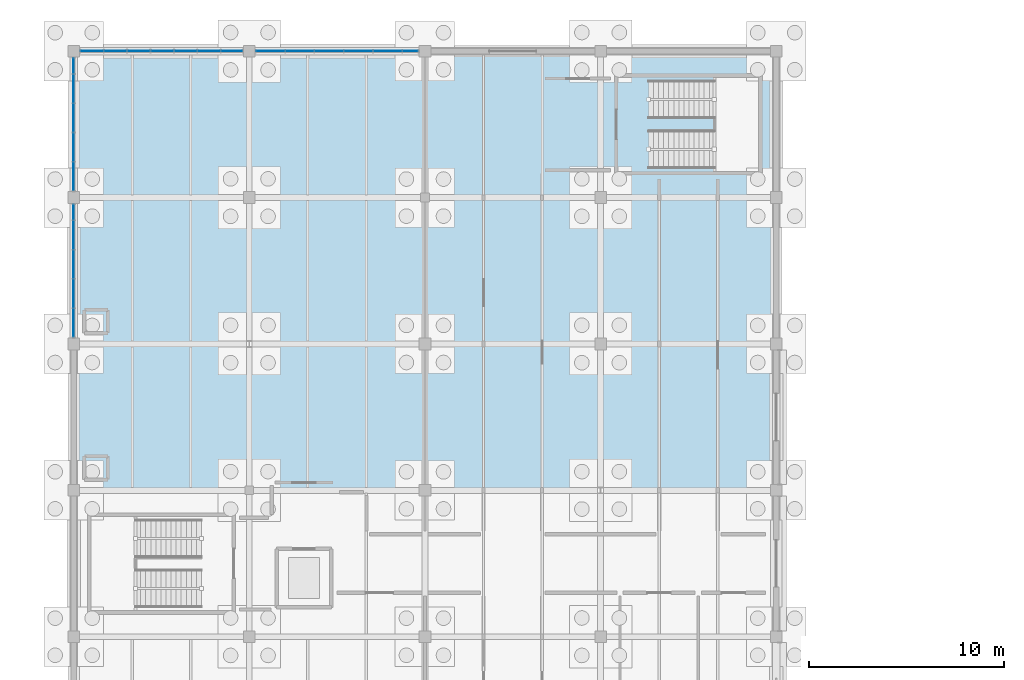
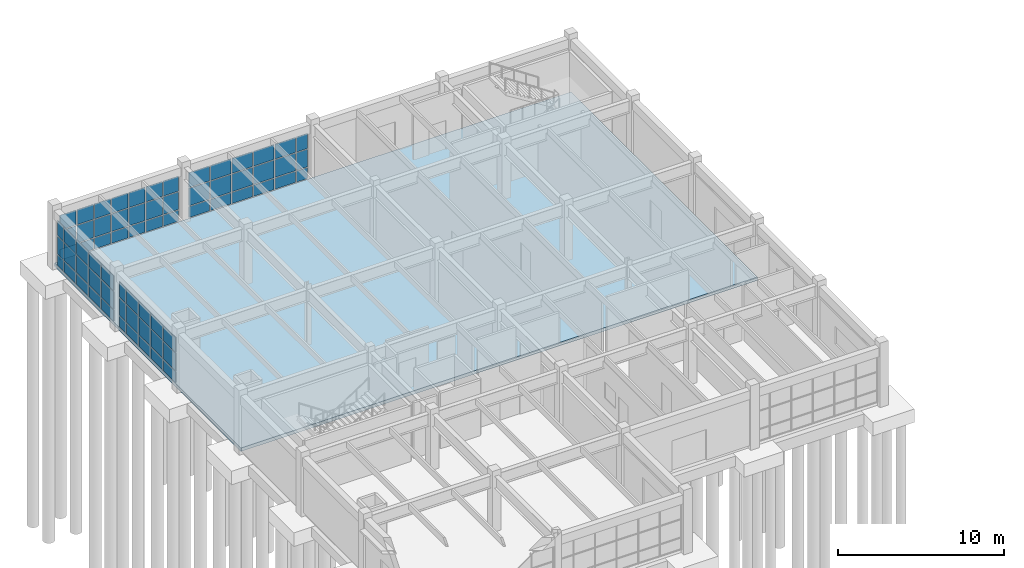
# One storey, part 50 of 93: 69 plates, 1 slab, 4 elements without a shape of their own.
"""IFC4 building model written with IfcOpenShell, lengths in metres."""

from ifc_helpers import new_model, si_unit, direction, frame, origin, origin_2d, place, context, subcontext, project, spatial, polyline, rectangle, outline, extrude, material, layer, layer_set, type_object, element, aggregate, save


model = new_model("IFC4")

# Units and contexts
model_context = context("Model", 3, precision=1e-05, world=origin(), true_north=direction((0.0, 1.0)))
body_context = subcontext(model_context, "Body", "Model", "MODEL_VIEW")
ifc_project = project(units=[si_unit("LENGTHUNIT", "METRE"), si_unit("AREAUNIT", "SQUARE_METRE"), si_unit("VOLUMEUNIT", "CUBIC_METRE"), si_unit("PLANEANGLEUNIT", "RADIAN"), si_unit("MASSUNIT", "GRAM", prefix="KILO")], contexts=[model_context])

# Site, building, storey
site_placement = place(None, origin())
site = spatial("IfcSite", under=ifc_project, at=site_placement, CompositionType="ELEMENT")
building_placement = place(site_placement, origin())
building = spatial("IfcBuilding", under=site, at=building_placement, Name="Marnridge Secondary College", CompositionType="ELEMENT")
storey_placement = place(building_placement, origin())
storey = spatial("IfcBuildingStorey", under=building, at=storey_placement, Name="L00", CompositionType="ELEMENT", Elevation=0.0)

# Curtain wall, plates
ifc_material_1 = material(Name="Thermally broken aluminium and low-E glazing", Category="aluminium")
ifc_layer_1 = layer(ifc_material_1, 0.179931640625)
ifc_layer_set_1 = layer_set([ifc_layer_1], Name="CW-MOD-1200")
curtain_wall_type_1 = type_object("IfcCurtainWallType", Name="CW-MOD-1200", PredefinedType="NOTDEFINED", material=ifc_layer_set_1)
curtain_wall_1_placement = place(storey_placement, origin())
curtain_wall_1 = element("IfcCurtainWall", 1, at=curtain_wall_1_placement, inside=storey, type_object=curtain_wall_type_1, Name="Unitised curtain wall CW-L00-012", PredefinedType="NOTDEFINED")
ifc_material_2 = material(Name="Double-glazed low-E argon unit", Category="glass")
ifc_layer_2 = layer(ifc_material_2, 0.028076171875)
ifc_layer_set_2 = layer_set([ifc_layer_2], Name="CWP-GLZ28")
plate_type = type_object("IfcPlateType", Name="CWP-GLZ28", PredefinedType="CURTAIN_PANEL", material=ifc_layer_set_2)
plate_1_placement = place(storey_placement, frame((0.9365234375, 120.0, 0.06005859375), z_axis=(0.0, 0.0, 1.0), x_axis=(1.0, 0.0, 0.0)))
plate_1 = element("IfcPlate", 2, at=plate_1_placement, type_object=plate_type, Name="CW-L00-012 panel 1.1", PredefinedType="CURTAIN_PANEL", context=body_context, shape_type="SweptSolid", body=[
    extrude(rectangle(XDim=1.135009765625, YDim=0.028076171875, at=origin_2d()), origin(), (0.0, 0.0, 1.0), 0.81005859375),
])
plate_2_placement = place(storey_placement, frame((0.9365234375, 120.0, 0.929931640625), z_axis=(0.0, 0.0, 1.0), x_axis=(1.0, 0.0, 0.0)))
plate_2 = element("IfcPlate", 3, at=plate_2_placement, type_object=plate_type, Name="CW-L00-012 panel 1.2", PredefinedType="CURTAIN_PANEL", context=body_context, shape_type="SweptSolid", body=[
    extrude(rectangle(XDim=1.135009765625, YDim=0.028076171875, at=origin_2d()), origin(), (0.0, 0.0, 1.0), 1.2900390625),
])
plate_3_placement = place(storey_placement, frame((0.9365234375, 120.0, 2.280029296875), z_axis=(0.0, 0.0, 1.0), x_axis=(1.0, 0.0, 0.0)))
plate_3 = element("IfcPlate", 4, at=plate_3_placement, type_object=plate_type, Name="CW-L00-012 panel 1.3", PredefinedType="CURTAIN_PANEL", context=body_context, shape_type="SweptSolid", body=[
    extrude(rectangle(XDim=1.135009765625, YDim=0.028076171875, at=origin_2d()), origin(), (0.0, 0.0, 1.0), 1.10205078125),
])
plate_4_placement = place(storey_placement, frame((2.136474609375, 120.0, 0.06005859375), z_axis=(0.0, 0.0, 1.0), x_axis=(1.0, 0.0, 0.0)))
plate_4 = element("IfcPlate", 5, at=plate_4_placement, type_object=plate_type, Name="CW-L00-012 panel 2.1", PredefinedType="CURTAIN_PANEL", context=body_context, shape_type="SweptSolid", body=[
    extrude(rectangle(XDim=1.135009765625, YDim=0.028076171875, at=origin_2d()), origin(), (0.0, 0.0, 1.0), 0.81005859375),
])
plate_5_placement = place(storey_placement, frame((2.136474609375, 120.0, 0.929931640625), z_axis=(0.0, 0.0, 1.0), x_axis=(1.0, 0.0, 0.0)))
plate_5 = element("IfcPlate", 6, at=plate_5_placement, type_object=plate_type, Name="CW-L00-012 panel 2.2", PredefinedType="CURTAIN_PANEL", context=body_context, shape_type="SweptSolid", body=[
    extrude(rectangle(XDim=1.135009765625, YDim=0.028076171875, at=origin_2d()), origin(), (0.0, 0.0, 1.0), 1.2900390625),
])
plate_6_placement = place(storey_placement, frame((2.136474609375, 120.0, 2.280029296875), z_axis=(0.0, 0.0, 1.0), x_axis=(1.0, 0.0, 0.0)))
plate_6 = element("IfcPlate", 7, at=plate_6_placement, type_object=plate_type, Name="CW-L00-012 panel 2.3", PredefinedType="CURTAIN_PANEL", context=body_context, shape_type="SweptSolid", body=[
    extrude(rectangle(XDim=1.135009765625, YDim=0.028076171875, at=origin_2d()), origin(), (0.0, 0.0, 1.0), 1.10205078125),
])
plate_7_placement = place(storey_placement, frame((3.33642578125, 120.0, 0.06005859375), z_axis=(0.0, 0.0, 1.0), x_axis=(1.0, 0.0, 0.0)))
plate_7 = element("IfcPlate", 8, at=plate_7_placement, type_object=plate_type, Name="CW-L00-012 panel 3.1", PredefinedType="CURTAIN_PANEL", context=body_context, shape_type="SweptSolid", body=[
    extrude(rectangle(XDim=1.135009765625, YDim=0.028076171875, at=origin_2d()), origin(), (0.0, 0.0, 1.0), 0.81005859375),
])
plate_8_placement = place(storey_placement, frame((3.33642578125, 120.0, 0.929931640625), z_axis=(0.0, 0.0, 1.0), x_axis=(1.0, 0.0, 0.0)))
plate_8 = element("IfcPlate", 9, at=plate_8_placement, type_object=plate_type, Name="CW-L00-012 panel 3.2", PredefinedType="CURTAIN_PANEL", context=body_context, shape_type="SweptSolid", body=[
    extrude(rectangle(XDim=1.135009765625, YDim=0.028076171875, at=origin_2d()), origin(), (0.0, 0.0, 1.0), 1.2900390625),
])
plate_9_placement = place(storey_placement, frame((3.33642578125, 120.0, 2.280029296875), z_axis=(0.0, 0.0, 1.0), x_axis=(1.0, 0.0, 0.0)))
plate_9 = element("IfcPlate", 10, at=plate_9_placement, type_object=plate_type, Name="CW-L00-012 panel 3.3", PredefinedType="CURTAIN_PANEL", context=body_context, shape_type="SweptSolid", body=[
    extrude(rectangle(XDim=1.135009765625, YDim=0.028076171875, at=origin_2d()), origin(), (0.0, 0.0, 1.0), 1.10205078125),
])
plate_10_placement = place(storey_placement, frame((4.53662109375, 120.0, 0.06005859375), z_axis=(0.0, 0.0, 1.0), x_axis=(1.0, 0.0, 0.0)))
plate_10 = element("IfcPlate", 11, at=plate_10_placement, type_object=plate_type, Name="CW-L00-012 panel 4.1", PredefinedType="CURTAIN_PANEL", context=body_context, shape_type="SweptSolid", body=[
    extrude(rectangle(XDim=1.135009765625, YDim=0.028076171875, at=origin_2d()), origin(), (0.0, 0.0, 1.0), 0.81005859375),
])
plate_11_placement = place(storey_placement, frame((4.53662109375, 120.0, 0.929931640625), z_axis=(0.0, 0.0, 1.0), x_axis=(1.0, 0.0, 0.0)))
plate_11 = element("IfcPlate", 12, at=plate_11_placement, type_object=plate_type, Name="CW-L00-012 panel 4.2", PredefinedType="CURTAIN_PANEL", context=body_context, shape_type="SweptSolid", body=[
    extrude(rectangle(XDim=1.135009765625, YDim=0.028076171875, at=origin_2d()), origin(), (0.0, 0.0, 1.0), 1.2900390625),
])
plate_12_placement = place(storey_placement, frame((4.53662109375, 120.0, 2.280029296875), z_axis=(0.0, 0.0, 1.0), x_axis=(1.0, 0.0, 0.0)))
plate_12 = element("IfcPlate", 13, at=plate_12_placement, type_object=plate_type, Name="CW-L00-012 panel 4.3", PredefinedType="CURTAIN_PANEL", context=body_context, shape_type="SweptSolid", body=[
    extrude(rectangle(XDim=1.135009765625, YDim=0.028076171875, at=origin_2d()), origin(), (0.0, 0.0, 1.0), 1.10205078125),
])
plate_13_placement = place(storey_placement, frame((5.736572265625, 120.0, 0.06005859375), z_axis=(0.0, 0.0, 1.0), x_axis=(1.0, 0.0, 0.0)))
plate_13 = element("IfcPlate", 14, at=plate_13_placement, type_object=plate_type, Name="CW-L00-012 panel 5.1", PredefinedType="CURTAIN_PANEL", context=body_context, shape_type="SweptSolid", body=[
    extrude(rectangle(XDim=1.135009765625, YDim=0.028076171875, at=origin_2d()), origin(), (0.0, 0.0, 1.0), 0.81005859375),
])
plate_14_placement = place(storey_placement, frame((5.736572265625, 120.0, 0.929931640625), z_axis=(0.0, 0.0, 1.0), x_axis=(1.0, 0.0, 0.0)))
plate_14 = element("IfcPlate", 15, at=plate_14_placement, type_object=plate_type, Name="CW-L00-012 panel 5.2", PredefinedType="CURTAIN_PANEL", context=body_context, shape_type="SweptSolid", body=[
    extrude(rectangle(XDim=1.135009765625, YDim=0.028076171875, at=origin_2d()), origin(), (0.0, 0.0, 1.0), 1.2900390625),
])
plate_15_placement = place(storey_placement, frame((5.736572265625, 120.0, 2.280029296875), z_axis=(0.0, 0.0, 1.0), x_axis=(1.0, 0.0, 0.0)))
plate_15 = element("IfcPlate", 16, at=plate_15_placement, type_object=plate_type, Name="CW-L00-012 panel 5.3", PredefinedType="CURTAIN_PANEL", context=body_context, shape_type="SweptSolid", body=[
    extrude(rectangle(XDim=1.135009765625, YDim=0.028076171875, at=origin_2d()), origin(), (0.0, 0.0, 1.0), 1.10205078125),
])
plate_16_placement = place(storey_placement, frame((6.9365234375, 120.0, 0.06005859375), z_axis=(0.0, 0.0, 1.0), x_axis=(1.0, 0.0, 0.0)))
plate_16 = element("IfcPlate", 17, at=plate_16_placement, type_object=plate_type, Name="CW-L00-012 panel 6.1", PredefinedType="CURTAIN_PANEL", context=body_context, shape_type="SweptSolid", body=[
    extrude(rectangle(XDim=1.135009765625, YDim=0.028076171875, at=origin_2d()), origin(), (0.0, 0.0, 1.0), 0.81005859375),
])
plate_17_placement = place(storey_placement, frame((6.9365234375, 120.0, 0.929931640625), z_axis=(0.0, 0.0, 1.0), x_axis=(1.0, 0.0, 0.0)))
plate_17 = element("IfcPlate", 18, at=plate_17_placement, type_object=plate_type, Name="CW-L00-012 panel 6.2", PredefinedType="CURTAIN_PANEL", context=body_context, shape_type="SweptSolid", body=[
    extrude(rectangle(XDim=1.135009765625, YDim=0.028076171875, at=origin_2d()), origin(), (0.0, 0.0, 1.0), 1.2900390625),
])
plate_18_placement = place(storey_placement, frame((6.9365234375, 120.0, 2.280029296875), z_axis=(0.0, 0.0, 1.0), x_axis=(1.0, 0.0, 0.0)))
plate_18 = element("IfcPlate", 19, at=plate_18_placement, type_object=plate_type, Name="CW-L00-012 panel 6.3", PredefinedType="CURTAIN_PANEL", context=body_context, shape_type="SweptSolid", body=[
    extrude(rectangle(XDim=1.135009765625, YDim=0.028076171875, at=origin_2d()), origin(), (0.0, 0.0, 1.0), 1.10205078125),
])
plate_19_placement = place(storey_placement, frame((8.10009765625, 120.0, 0.06005859375), z_axis=(0.0, 0.0, 1.0), x_axis=(1.0, 0.0, 0.0)))
plate_19 = element("IfcPlate", 20, at=plate_19_placement, type_object=plate_type, Name="CW-L00-012 panel 7.1", PredefinedType="CURTAIN_PANEL", context=body_context, shape_type="SweptSolid", body=[
    extrude(rectangle(XDim=1.06201171875, YDim=0.028076171875, at=origin_2d()), origin(), (0.0, 0.0, 1.0), 0.81005859375),
])
plate_20_placement = place(storey_placement, frame((8.10009765625, 120.0, 0.929931640625), z_axis=(0.0, 0.0, 1.0), x_axis=(1.0, 0.0, 0.0)))
plate_20 = element("IfcPlate", 21, at=plate_20_placement, type_object=plate_type, Name="CW-L00-012 panel 7.2", PredefinedType="CURTAIN_PANEL", context=body_context, shape_type="SweptSolid", body=[
    extrude(rectangle(XDim=1.06201171875, YDim=0.028076171875, at=origin_2d()), origin(), (0.0, 0.0, 1.0), 1.2900390625),
])
plate_21_placement = place(storey_placement, frame((8.10009765625, 120.0, 2.280029296875), z_axis=(0.0, 0.0, 1.0), x_axis=(1.0, 0.0, 0.0)))
plate_21 = element("IfcPlate", 22, at=plate_21_placement, type_object=plate_type, Name="CW-L00-012 panel 7.3", PredefinedType="CURTAIN_PANEL", context=body_context, shape_type="SweptSolid", body=[
    extrude(rectangle(XDim=1.06201171875, YDim=0.028076171875, at=origin_2d()), origin(), (0.0, 0.0, 1.0), 1.10205078125),
])
aggregate(curtain_wall_1, [plate_1, plate_2, plate_3, plate_4, plate_5, plate_6, plate_7, plate_8, plate_9, plate_10, plate_11, plate_12, plate_13, plate_14, plate_15, plate_16, plate_17, plate_18, plate_19, plate_20, plate_21])

ifc_material_3 = material(Name="Thermally broken aluminium and low-E glazing", Category="aluminium")
ifc_layer_3 = layer(ifc_material_3, 0.159912109375)
ifc_layer_set_3 = layer_set([ifc_layer_3], Name="CW-MOD-1500")
curtain_wall_type_2 = type_object("IfcCurtainWallType", Name="CW-MOD-1500", PredefinedType="NOTDEFINED", material=ifc_layer_set_3)
curtain_wall_2_placement = place(storey_placement, origin())
curtain_wall_2 = element("IfcCurtainWall", 23, at=curtain_wall_2_placement, inside=storey, type_object=curtain_wall_type_2, Name="Unitised curtain wall CW-L00-013", PredefinedType="NOTDEFINED")
plate_22_placement = place(storey_placement, frame((10.083984375, 120.0, 0.06005859375), z_axis=(0.0, 0.0, 1.0), x_axis=(1.0, 0.0, 0.0)))
plate_22 = element("IfcPlate", 24, at=plate_22_placement, type_object=plate_type, Name="CW-L00-013 panel 1.1", PredefinedType="CURTAIN_PANEL", context=body_context, shape_type="SweptSolid", body=[
    extrude(rectangle(XDim=1.43994140625, YDim=0.028076171875, at=origin_2d()), origin(), (0.0, 0.0, 1.0), 0.81005859375),
])
plate_23_placement = place(storey_placement, frame((10.083984375, 120.0, 0.929931640625), z_axis=(0.0, 0.0, 1.0), x_axis=(1.0, 0.0, 0.0)))
plate_23 = element("IfcPlate", 25, at=plate_23_placement, type_object=plate_type, Name="CW-L00-013 panel 1.2", PredefinedType="CURTAIN_PANEL", context=body_context, shape_type="SweptSolid", body=[
    extrude(rectangle(XDim=1.43994140625, YDim=0.028076171875, at=origin_2d()), origin(), (0.0, 0.0, 1.0), 1.2900390625),
])
plate_24_placement = place(storey_placement, frame((10.083984375, 120.0, 2.280029296875), z_axis=(0.0, 0.0, 1.0), x_axis=(1.0, 0.0, 0.0)))
plate_24 = element("IfcPlate", 26, at=plate_24_placement, type_object=plate_type, Name="CW-L00-013 panel 1.3", PredefinedType="CURTAIN_PANEL", context=body_context, shape_type="SweptSolid", body=[
    extrude(rectangle(XDim=1.43994140625, YDim=0.028076171875, at=origin_2d()), origin(), (0.0, 0.0, 1.0), 1.10205078125),
])
plate_25_placement = place(storey_placement, frame((11.583984375, 120.0, 0.06005859375), z_axis=(0.0, 0.0, 1.0), x_axis=(1.0, 0.0, 0.0)))
plate_25 = element("IfcPlate", 27, at=plate_25_placement, type_object=plate_type, Name="CW-L00-013 panel 2.1", PredefinedType="CURTAIN_PANEL", context=body_context, shape_type="SweptSolid", body=[
    extrude(rectangle(XDim=1.43994140625, YDim=0.028076171875, at=origin_2d()), origin(), (0.0, 0.0, 1.0), 0.81005859375),
])
plate_26_placement = place(storey_placement, frame((11.583984375, 120.0, 0.929931640625), z_axis=(0.0, 0.0, 1.0), x_axis=(1.0, 0.0, 0.0)))
plate_26 = element("IfcPlate", 28, at=plate_26_placement, type_object=plate_type, Name="CW-L00-013 panel 2.2", PredefinedType="CURTAIN_PANEL", context=body_context, shape_type="SweptSolid", body=[
    extrude(rectangle(XDim=1.43994140625, YDim=0.028076171875, at=origin_2d()), origin(), (0.0, 0.0, 1.0), 1.2900390625),
])
plate_27_placement = place(storey_placement, frame((11.583984375, 120.0, 2.280029296875), z_axis=(0.0, 0.0, 1.0), x_axis=(1.0, 0.0, 0.0)))
plate_27 = element("IfcPlate", 29, at=plate_27_placement, type_object=plate_type, Name="CW-L00-013 panel 2.3", PredefinedType="CURTAIN_PANEL", context=body_context, shape_type="SweptSolid", body=[
    extrude(rectangle(XDim=1.43994140625, YDim=0.028076171875, at=origin_2d()), origin(), (0.0, 0.0, 1.0), 1.10205078125),
])
plate_28_placement = place(storey_placement, frame((13.083984375, 120.0, 0.06005859375), z_axis=(0.0, 0.0, 1.0), x_axis=(1.0, 0.0, 0.0)))
plate_28 = element("IfcPlate", 30, at=plate_28_placement, type_object=plate_type, Name="CW-L00-013 panel 3.1", PredefinedType="CURTAIN_PANEL", context=body_context, shape_type="SweptSolid", body=[
    extrude(rectangle(XDim=1.43994140625, YDim=0.028076171875, at=origin_2d()), origin(), (0.0, 0.0, 1.0), 0.81005859375),
])
plate_29_placement = place(storey_placement, frame((13.083984375, 120.0, 0.929931640625), z_axis=(0.0, 0.0, 1.0), x_axis=(1.0, 0.0, 0.0)))
plate_29 = element("IfcPlate", 31, at=plate_29_placement, type_object=plate_type, Name="CW-L00-013 panel 3.2", PredefinedType="CURTAIN_PANEL", context=body_context, shape_type="SweptSolid", body=[
    extrude(rectangle(XDim=1.43994140625, YDim=0.028076171875, at=origin_2d()), origin(), (0.0, 0.0, 1.0), 1.2900390625),
])
plate_30_placement = place(storey_placement, frame((13.083984375, 120.0, 2.280029296875), z_axis=(0.0, 0.0, 1.0), x_axis=(1.0, 0.0, 0.0)))
plate_30 = element("IfcPlate", 32, at=plate_30_placement, type_object=plate_type, Name="CW-L00-013 panel 3.3", PredefinedType="CURTAIN_PANEL", context=body_context, shape_type="SweptSolid", body=[
    extrude(rectangle(XDim=1.43994140625, YDim=0.028076171875, at=origin_2d()), origin(), (0.0, 0.0, 1.0), 1.10205078125),
])
plate_31_placement = place(storey_placement, frame((14.583984375, 120.0, 0.06005859375), z_axis=(0.0, 0.0, 1.0), x_axis=(1.0, 0.0, 0.0)))
plate_31 = element("IfcPlate", 33, at=plate_31_placement, type_object=plate_type, Name="CW-L00-013 panel 4.1", PredefinedType="CURTAIN_PANEL", context=body_context, shape_type="SweptSolid", body=[
    extrude(rectangle(XDim=1.43994140625, YDim=0.028076171875, at=origin_2d()), origin(), (0.0, 0.0, 1.0), 0.81005859375),
])
plate_32_placement = place(storey_placement, frame((14.583984375, 120.0, 0.929931640625), z_axis=(0.0, 0.0, 1.0), x_axis=(1.0, 0.0, 0.0)))
plate_32 = element("IfcPlate", 34, at=plate_32_placement, type_object=plate_type, Name="CW-L00-013 panel 4.2", PredefinedType="CURTAIN_PANEL", context=body_context, shape_type="SweptSolid", body=[
    extrude(rectangle(XDim=1.43994140625, YDim=0.028076171875, at=origin_2d()), origin(), (0.0, 0.0, 1.0), 1.2900390625),
])
plate_33_placement = place(storey_placement, frame((14.583984375, 120.0, 2.280029296875), z_axis=(0.0, 0.0, 1.0), x_axis=(1.0, 0.0, 0.0)))
plate_33 = element("IfcPlate", 35, at=plate_33_placement, type_object=plate_type, Name="CW-L00-013 panel 4.3", PredefinedType="CURTAIN_PANEL", context=body_context, shape_type="SweptSolid", body=[
    extrude(rectangle(XDim=1.43994140625, YDim=0.028076171875, at=origin_2d()), origin(), (0.0, 0.0, 1.0), 1.10205078125),
])
plate_34_placement = place(storey_placement, frame((16.083984375, 120.0, 0.06005859375), z_axis=(0.0, 0.0, 1.0), x_axis=(1.0, 0.0, 0.0)))
plate_34 = element("IfcPlate", 36, at=plate_34_placement, type_object=plate_type, Name="CW-L00-013 panel 5.1", PredefinedType="CURTAIN_PANEL", context=body_context, shape_type="SweptSolid", body=[
    extrude(rectangle(XDim=1.43994140625, YDim=0.028076171875, at=origin_2d()), origin(), (0.0, 0.0, 1.0), 0.81005859375),
])
plate_35_placement = place(storey_placement, frame((16.083984375, 120.0, 0.929931640625), z_axis=(0.0, 0.0, 1.0), x_axis=(1.0, 0.0, 0.0)))
plate_35 = element("IfcPlate", 37, at=plate_35_placement, type_object=plate_type, Name="CW-L00-013 panel 5.2", PredefinedType="CURTAIN_PANEL", context=body_context, shape_type="SweptSolid", body=[
    extrude(rectangle(XDim=1.43994140625, YDim=0.028076171875, at=origin_2d()), origin(), (0.0, 0.0, 1.0), 1.2900390625),
])
plate_36_placement = place(storey_placement, frame((16.083984375, 120.0, 2.280029296875), z_axis=(0.0, 0.0, 1.0), x_axis=(1.0, 0.0, 0.0)))
plate_36 = element("IfcPlate", 38, at=plate_36_placement, type_object=plate_type, Name="CW-L00-013 panel 5.3", PredefinedType="CURTAIN_PANEL", context=body_context, shape_type="SweptSolid", body=[
    extrude(rectangle(XDim=1.43994140625, YDim=0.028076171875, at=origin_2d()), origin(), (0.0, 0.0, 1.0), 1.10205078125),
])
plate_37_placement = place(storey_placement, frame((17.25, 120.0, 0.06005859375), z_axis=(0.0, 0.0, 1.0), x_axis=(1.0, 0.0, 0.0)))
plate_37 = element("IfcPlate", 39, at=plate_37_placement, type_object=plate_type, Name="CW-L00-013 panel 6.1", PredefinedType="CURTAIN_PANEL", context=body_context, shape_type="SweptSolid", body=[
    extrude(rectangle(XDim=0.77197265625, YDim=0.028076171875, at=origin_2d()), origin(), (0.0, 0.0, 1.0), 0.81005859375),
])
plate_38_placement = place(storey_placement, frame((17.25, 120.0, 0.929931640625), z_axis=(0.0, 0.0, 1.0), x_axis=(1.0, 0.0, 0.0)))
plate_38 = element("IfcPlate", 40, at=plate_38_placement, type_object=plate_type, Name="CW-L00-013 panel 6.2", PredefinedType="CURTAIN_PANEL", context=body_context, shape_type="SweptSolid", body=[
    extrude(rectangle(XDim=0.77197265625, YDim=0.028076171875, at=origin_2d()), origin(), (0.0, 0.0, 1.0), 1.2900390625),
])
plate_39_placement = place(storey_placement, frame((17.25, 120.0, 2.280029296875), z_axis=(0.0, 0.0, 1.0), x_axis=(1.0, 0.0, 0.0)))
plate_39 = element("IfcPlate", 41, at=plate_39_placement, type_object=plate_type, Name="CW-L00-013 panel 6.3", PredefinedType="CURTAIN_PANEL", context=body_context, shape_type="SweptSolid", body=[
    extrude(rectangle(XDim=0.77197265625, YDim=0.028076171875, at=origin_2d()), origin(), (0.0, 0.0, 1.0), 1.10205078125),
])
aggregate(curtain_wall_2, [plate_22, plate_23, plate_24, plate_25, plate_26, plate_27, plate_28, plate_29, plate_30, plate_31, plate_32, plate_33, plate_34, plate_35, plate_36, plate_37, plate_38, plate_39])

curtain_wall_3_placement = place(storey_placement, origin())
curtain_wall_3 = element("IfcCurtainWall", 42, at=curtain_wall_3_placement, inside=storey, type_object=curtain_wall_type_2, Name="Unitised curtain wall CW-L00-017", PredefinedType="NOTDEFINED")
plate_40_placement = place(storey_placement, frame((0.0, 106.083984375, 0.06005859375), z_axis=(0.0, 0.0, 1.0), x_axis=(0.0, 1.0, 0.0)))
plate_40 = element("IfcPlate", 43, at=plate_40_placement, type_object=plate_type, Name="CW-L00-017 panel 1.1", PredefinedType="CURTAIN_PANEL", context=body_context, shape_type="SweptSolid", body=[
    extrude(rectangle(XDim=1.43994140625, YDim=0.028076171875, at=origin_2d()), origin(), (0.0, 0.0, 1.0), 0.81005859375),
])
plate_41_placement = place(storey_placement, frame((0.0, 106.083984375, 0.929931640625), z_axis=(0.0, 0.0, 1.0), x_axis=(0.0, 1.0, 0.0)))
plate_41 = element("IfcPlate", 44, at=plate_41_placement, type_object=plate_type, Name="CW-L00-017 panel 1.2", PredefinedType="CURTAIN_PANEL", context=body_context, shape_type="SweptSolid", body=[
    extrude(rectangle(XDim=1.43994140625, YDim=0.028076171875, at=origin_2d()), origin(), (0.0, 0.0, 1.0), 1.2900390625),
])
plate_42_placement = place(storey_placement, frame((0.0, 106.083984375, 2.280029296875), z_axis=(0.0, 0.0, 1.0), x_axis=(0.0, 1.0, 0.0)))
plate_42 = element("IfcPlate", 45, at=plate_42_placement, type_object=plate_type, Name="CW-L00-017 panel 1.3", PredefinedType="CURTAIN_PANEL", context=body_context, shape_type="SweptSolid", body=[
    extrude(rectangle(XDim=1.43994140625, YDim=0.028076171875, at=origin_2d()), origin(), (0.0, 0.0, 1.0), 1.10205078125),
])
plate_43_placement = place(storey_placement, frame((0.0, 107.583984375, 0.06005859375), z_axis=(0.0, 0.0, 1.0), x_axis=(0.0, 1.0, 0.0)))
plate_43 = element("IfcPlate", 46, at=plate_43_placement, type_object=plate_type, Name="CW-L00-017 panel 2.1", PredefinedType="CURTAIN_PANEL", context=body_context, shape_type="SweptSolid", body=[
    extrude(rectangle(XDim=1.43994140625, YDim=0.028076171875, at=origin_2d()), origin(), (0.0, 0.0, 1.0), 0.81005859375),
])
plate_44_placement = place(storey_placement, frame((0.0, 107.583984375, 0.929931640625), z_axis=(0.0, 0.0, 1.0), x_axis=(0.0, 1.0, 0.0)))
plate_44 = element("IfcPlate", 47, at=plate_44_placement, type_object=plate_type, Name="CW-L00-017 panel 2.2", PredefinedType="CURTAIN_PANEL", context=body_context, shape_type="SweptSolid", body=[
    extrude(rectangle(XDim=1.43994140625, YDim=0.028076171875, at=origin_2d()), origin(), (0.0, 0.0, 1.0), 1.2900390625),
])
plate_45_placement = place(storey_placement, frame((0.0, 107.583984375, 2.280029296875), z_axis=(0.0, 0.0, 1.0), x_axis=(0.0, 1.0, 0.0)))
plate_45 = element("IfcPlate", 48, at=plate_45_placement, type_object=plate_type, Name="CW-L00-017 panel 2.3", PredefinedType="CURTAIN_PANEL", context=body_context, shape_type="SweptSolid", body=[
    extrude(rectangle(XDim=1.43994140625, YDim=0.028076171875, at=origin_2d()), origin(), (0.0, 0.0, 1.0), 1.10205078125),
])
plate_46_placement = place(storey_placement, frame((0.0, 109.083984375, 0.06005859375), z_axis=(0.0, 0.0, 1.0), x_axis=(0.0, 1.0, 0.0)))
plate_46 = element("IfcPlate", 49, at=plate_46_placement, type_object=plate_type, Name="CW-L00-017 panel 3.1", PredefinedType="CURTAIN_PANEL", context=body_context, shape_type="SweptSolid", body=[
    extrude(rectangle(XDim=1.43994140625, YDim=0.028076171875, at=origin_2d()), origin(), (0.0, 0.0, 1.0), 0.81005859375),
])
plate_47_placement = place(storey_placement, frame((0.0, 109.083984375, 0.929931640625), z_axis=(0.0, 0.0, 1.0), x_axis=(0.0, 1.0, 0.0)))
plate_47 = element("IfcPlate", 50, at=plate_47_placement, type_object=plate_type, Name="CW-L00-017 panel 3.2", PredefinedType="CURTAIN_PANEL", context=body_context, shape_type="SweptSolid", body=[
    extrude(rectangle(XDim=1.43994140625, YDim=0.028076171875, at=origin_2d()), origin(), (0.0, 0.0, 1.0), 1.2900390625),
])
plate_48_placement = place(storey_placement, frame((0.0, 109.083984375, 2.280029296875), z_axis=(0.0, 0.0, 1.0), x_axis=(0.0, 1.0, 0.0)))
plate_48 = element("IfcPlate", 51, at=plate_48_placement, type_object=plate_type, Name="CW-L00-017 panel 3.3", PredefinedType="CURTAIN_PANEL", context=body_context, shape_type="SweptSolid", body=[
    extrude(rectangle(XDim=1.43994140625, YDim=0.028076171875, at=origin_2d()), origin(), (0.0, 0.0, 1.0), 1.10205078125),
])
plate_49_placement = place(storey_placement, frame((0.0, 110.583984375, 0.06005859375), z_axis=(0.0, 0.0, 1.0), x_axis=(0.0, 1.0, 0.0)))
plate_49 = element("IfcPlate", 52, at=plate_49_placement, type_object=plate_type, Name="CW-L00-017 panel 4.1", PredefinedType="CURTAIN_PANEL", context=body_context, shape_type="SweptSolid", body=[
    extrude(rectangle(XDim=1.43994140625, YDim=0.028076171875, at=origin_2d()), origin(), (0.0, 0.0, 1.0), 0.81005859375),
])
plate_50_placement = place(storey_placement, frame((0.0, 110.583984375, 0.929931640625), z_axis=(0.0, 0.0, 1.0), x_axis=(0.0, 1.0, 0.0)))
plate_50 = element("IfcPlate", 53, at=plate_50_placement, type_object=plate_type, Name="CW-L00-017 panel 4.2", PredefinedType="CURTAIN_PANEL", context=body_context, shape_type="SweptSolid", body=[
    extrude(rectangle(XDim=1.43994140625, YDim=0.028076171875, at=origin_2d()), origin(), (0.0, 0.0, 1.0), 1.2900390625),
])
plate_51_placement = place(storey_placement, frame((0.0, 110.583984375, 2.280029296875), z_axis=(0.0, 0.0, 1.0), x_axis=(0.0, 1.0, 0.0)))
plate_51 = element("IfcPlate", 54, at=plate_51_placement, type_object=plate_type, Name="CW-L00-017 panel 4.3", PredefinedType="CURTAIN_PANEL", context=body_context, shape_type="SweptSolid", body=[
    extrude(rectangle(XDim=1.43994140625, YDim=0.028076171875, at=origin_2d()), origin(), (0.0, 0.0, 1.0), 1.10205078125),
])
plate_52_placement = place(storey_placement, frame((0.0, 111.75, 0.06005859375), z_axis=(0.0, 0.0, 1.0), x_axis=(0.0, 1.0, 0.0)))
plate_52 = element("IfcPlate", 55, at=plate_52_placement, type_object=plate_type, Name="CW-L00-017 panel 5.1", PredefinedType="CURTAIN_PANEL", context=body_context, shape_type="SweptSolid", body=[
    extrude(rectangle(XDim=0.77197265625, YDim=0.028076171875, at=origin_2d()), origin(), (0.0, 0.0, 1.0), 0.81005859375),
])
plate_53_placement = place(storey_placement, frame((0.0, 111.75, 0.929931640625), z_axis=(0.0, 0.0, 1.0), x_axis=(0.0, 1.0, 0.0)))
plate_53 = element("IfcPlate", 56, at=plate_53_placement, type_object=plate_type, Name="CW-L00-017 panel 5.2", PredefinedType="CURTAIN_PANEL", context=body_context, shape_type="SweptSolid", body=[
    extrude(rectangle(XDim=0.77197265625, YDim=0.028076171875, at=origin_2d()), origin(), (0.0, 0.0, 1.0), 1.2900390625),
])
plate_54_placement = place(storey_placement, frame((0.0, 111.75, 2.280029296875), z_axis=(0.0, 0.0, 1.0), x_axis=(0.0, 1.0, 0.0)))
plate_54 = element("IfcPlate", 57, at=plate_54_placement, type_object=plate_type, Name="CW-L00-017 panel 5.3", PredefinedType="CURTAIN_PANEL", context=body_context, shape_type="SweptSolid", body=[
    extrude(rectangle(XDim=0.77197265625, YDim=0.028076171875, at=origin_2d()), origin(), (0.0, 0.0, 1.0), 1.10205078125),
])
aggregate(curtain_wall_3, [plate_40, plate_41, plate_42, plate_43, plate_44, plate_45, plate_46, plate_47, plate_48, plate_49, plate_50, plate_51, plate_52, plate_53, plate_54])

curtain_wall_4_placement = place(storey_placement, origin())
curtain_wall_4 = element("IfcCurtainWall", 58, at=curtain_wall_4_placement, inside=storey, type_object=curtain_wall_type_2, Name="Unitised curtain wall CW-L00-018", PredefinedType="NOTDEFINED")
plate_55_placement = place(storey_placement, frame((0.0, 113.583984375, 0.06005859375), z_axis=(0.0, 0.0, 1.0), x_axis=(0.0, 1.0, 0.0)))
plate_55 = element("IfcPlate", 59, at=plate_55_placement, type_object=plate_type, Name="CW-L00-018 panel 1.1", PredefinedType="CURTAIN_PANEL", context=body_context, shape_type="SweptSolid", body=[
    extrude(rectangle(XDim=1.43994140625, YDim=0.028076171875, at=origin_2d()), origin(), (0.0, 0.0, 1.0), 0.81005859375),
])
plate_56_placement = place(storey_placement, frame((0.0, 113.583984375, 0.929931640625), z_axis=(0.0, 0.0, 1.0), x_axis=(0.0, 1.0, 0.0)))
plate_56 = element("IfcPlate", 60, at=plate_56_placement, type_object=plate_type, Name="CW-L00-018 panel 1.2", PredefinedType="CURTAIN_PANEL", context=body_context, shape_type="SweptSolid", body=[
    extrude(rectangle(XDim=1.43994140625, YDim=0.028076171875, at=origin_2d()), origin(), (0.0, 0.0, 1.0), 1.2900390625),
])
plate_57_placement = place(storey_placement, frame((0.0, 113.583984375, 2.280029296875), z_axis=(0.0, 0.0, 1.0), x_axis=(0.0, 1.0, 0.0)))
plate_57 = element("IfcPlate", 61, at=plate_57_placement, type_object=plate_type, Name="CW-L00-018 panel 1.3", PredefinedType="CURTAIN_PANEL", context=body_context, shape_type="SweptSolid", body=[
    extrude(rectangle(XDim=1.43994140625, YDim=0.028076171875, at=origin_2d()), origin(), (0.0, 0.0, 1.0), 1.10205078125),
])
plate_58_placement = place(storey_placement, frame((0.0, 115.083984375, 0.06005859375), z_axis=(0.0, 0.0, 1.0), x_axis=(0.0, 1.0, 0.0)))
plate_58 = element("IfcPlate", 62, at=plate_58_placement, type_object=plate_type, Name="CW-L00-018 panel 2.1", PredefinedType="CURTAIN_PANEL", context=body_context, shape_type="SweptSolid", body=[
    extrude(rectangle(XDim=1.43994140625, YDim=0.028076171875, at=origin_2d()), origin(), (0.0, 0.0, 1.0), 0.81005859375),
])
plate_59_placement = place(storey_placement, frame((0.0, 115.083984375, 0.929931640625), z_axis=(0.0, 0.0, 1.0), x_axis=(0.0, 1.0, 0.0)))
plate_59 = element("IfcPlate", 63, at=plate_59_placement, type_object=plate_type, Name="CW-L00-018 panel 2.2", PredefinedType="CURTAIN_PANEL", context=body_context, shape_type="SweptSolid", body=[
    extrude(rectangle(XDim=1.43994140625, YDim=0.028076171875, at=origin_2d()), origin(), (0.0, 0.0, 1.0), 1.2900390625),
])
plate_60_placement = place(storey_placement, frame((0.0, 115.083984375, 2.280029296875), z_axis=(0.0, 0.0, 1.0), x_axis=(0.0, 1.0, 0.0)))
plate_60 = element("IfcPlate", 64, at=plate_60_placement, type_object=plate_type, Name="CW-L00-018 panel 2.3", PredefinedType="CURTAIN_PANEL", context=body_context, shape_type="SweptSolid", body=[
    extrude(rectangle(XDim=1.43994140625, YDim=0.028076171875, at=origin_2d()), origin(), (0.0, 0.0, 1.0), 1.10205078125),
])
plate_61_placement = place(storey_placement, frame((0.0, 116.583984375, 0.06005859375), z_axis=(0.0, 0.0, 1.0), x_axis=(0.0, 1.0, 0.0)))
plate_61 = element("IfcPlate", 65, at=plate_61_placement, type_object=plate_type, Name="CW-L00-018 panel 3.1", PredefinedType="CURTAIN_PANEL", context=body_context, shape_type="SweptSolid", body=[
    extrude(rectangle(XDim=1.43994140625, YDim=0.028076171875, at=origin_2d()), origin(), (0.0, 0.0, 1.0), 0.81005859375),
])
plate_62_placement = place(storey_placement, frame((0.0, 116.583984375, 0.929931640625), z_axis=(0.0, 0.0, 1.0), x_axis=(0.0, 1.0, 0.0)))
plate_62 = element("IfcPlate", 66, at=plate_62_placement, type_object=plate_type, Name="CW-L00-018 panel 3.2", PredefinedType="CURTAIN_PANEL", context=body_context, shape_type="SweptSolid", body=[
    extrude(rectangle(XDim=1.43994140625, YDim=0.028076171875, at=origin_2d()), origin(), (0.0, 0.0, 1.0), 1.2900390625),
])
plate_63_placement = place(storey_placement, frame((0.0, 116.583984375, 2.280029296875), z_axis=(0.0, 0.0, 1.0), x_axis=(0.0, 1.0, 0.0)))
plate_63 = element("IfcPlate", 67, at=plate_63_placement, type_object=plate_type, Name="CW-L00-018 panel 3.3", PredefinedType="CURTAIN_PANEL", context=body_context, shape_type="SweptSolid", body=[
    extrude(rectangle(XDim=1.43994140625, YDim=0.028076171875, at=origin_2d()), origin(), (0.0, 0.0, 1.0), 1.10205078125),
])
plate_64_placement = place(storey_placement, frame((0.0, 118.083984375, 0.06005859375), z_axis=(0.0, 0.0, 1.0), x_axis=(0.0, 1.0, 0.0)))
plate_64 = element("IfcPlate", 68, at=plate_64_placement, type_object=plate_type, Name="CW-L00-018 panel 4.1", PredefinedType="CURTAIN_PANEL", context=body_context, shape_type="SweptSolid", body=[
    extrude(rectangle(XDim=1.43994140625, YDim=0.028076171875, at=origin_2d()), origin(), (0.0, 0.0, 1.0), 0.81005859375),
])
plate_65_placement = place(storey_placement, frame((0.0, 118.083984375, 0.929931640625), z_axis=(0.0, 0.0, 1.0), x_axis=(0.0, 1.0, 0.0)))
plate_65 = element("IfcPlate", 69, at=plate_65_placement, type_object=plate_type, Name="CW-L00-018 panel 4.2", PredefinedType="CURTAIN_PANEL", context=body_context, shape_type="SweptSolid", body=[
    extrude(rectangle(XDim=1.43994140625, YDim=0.028076171875, at=origin_2d()), origin(), (0.0, 0.0, 1.0), 1.2900390625),
])
plate_66_placement = place(storey_placement, frame((0.0, 118.083984375, 2.280029296875), z_axis=(0.0, 0.0, 1.0), x_axis=(0.0, 1.0, 0.0)))
plate_66 = element("IfcPlate", 70, at=plate_66_placement, type_object=plate_type, Name="CW-L00-018 panel 4.3", PredefinedType="CURTAIN_PANEL", context=body_context, shape_type="SweptSolid", body=[
    extrude(rectangle(XDim=1.43994140625, YDim=0.028076171875, at=origin_2d()), origin(), (0.0, 0.0, 1.0), 1.10205078125),
])
plate_67_placement = place(storey_placement, frame((0.0, 119.25, 0.06005859375), z_axis=(0.0, 0.0, 1.0), x_axis=(0.0, 1.0, 0.0)))
plate_67 = element("IfcPlate", 71, at=plate_67_placement, type_object=plate_type, Name="CW-L00-018 panel 5.1", PredefinedType="CURTAIN_PANEL", context=body_context, shape_type="SweptSolid", body=[
    extrude(rectangle(XDim=0.77197265625, YDim=0.028076171875, at=origin_2d()), origin(), (0.0, 0.0, 1.0), 0.81005859375),
])
plate_68_placement = place(storey_placement, frame((0.0, 119.25, 0.929931640625), z_axis=(0.0, 0.0, 1.0), x_axis=(0.0, 1.0, 0.0)))
plate_68 = element("IfcPlate", 72, at=plate_68_placement, type_object=plate_type, Name="CW-L00-018 panel 5.2", PredefinedType="CURTAIN_PANEL", context=body_context, shape_type="SweptSolid", body=[
    extrude(rectangle(XDim=0.77197265625, YDim=0.028076171875, at=origin_2d()), origin(), (0.0, 0.0, 1.0), 1.2900390625),
])
plate_69_placement = place(storey_placement, frame((0.0, 119.25, 2.280029296875), z_axis=(0.0, 0.0, 1.0), x_axis=(0.0, 1.0, 0.0)))
plate_69 = element("IfcPlate", 73, at=plate_69_placement, type_object=plate_type, Name="CW-L00-018 panel 5.3", PredefinedType="CURTAIN_PANEL", context=body_context, shape_type="SweptSolid", body=[
    extrude(rectangle(XDim=0.77197265625, YDim=0.028076171875, at=origin_2d()), origin(), (0.0, 0.0, 1.0), 1.10205078125),
])
aggregate(curtain_wall_4, [plate_55, plate_56, plate_57, plate_58, plate_59, plate_60, plate_61, plate_62, plate_63, plate_64, plate_65, plate_66, plate_67, plate_68, plate_69])

# Slab
ifc_material_4 = material(Name="Concrete C40/50 (AS 3600 N40, 40 MPa)", Category="concrete")
ifc_layer_4 = layer(ifc_material_4, 0.25)
ifc_layer_set_4 = layer_set([ifc_layer_4], Name="SL-BASE-250")
slab_type = type_object("IfcSlabType", Name="SL-BASE-250", PredefinedType="BASESLAB", material=ifc_layer_set_4)
slab_placement = place(storey_placement, frame((0.0, 0.0, -0.25)))
element("IfcSlab", 74, at=slab_placement, inside=storey, type_object=slab_type, Name="Floor slab SL-L00-008", PredefinedType="BASESLAB", context=body_context, shape_type="SweptSolid", body=[
    extrude(outline(polyline([(0.0, 120.0), (36.0, 120.0), (36.0, 97.5), (0.0, 97.5), (0.0, 120.0)])), origin(), (0.0, 0.0, 1.0), 0.25),
])

save(model, "model.ifc")
